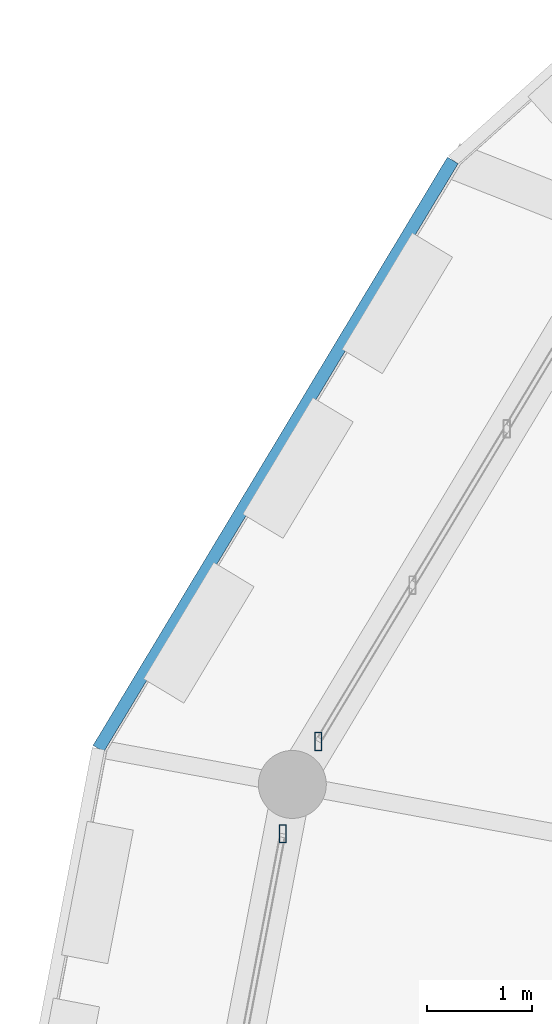
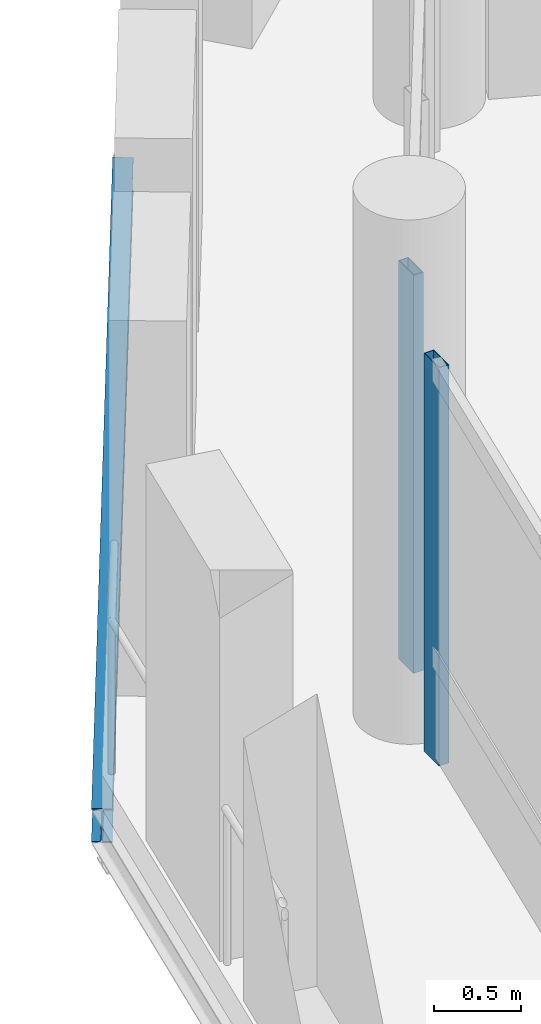
# One storey, part 40 of 84: 2 members, 1 beam, 2 elements without a shape of their own.
"""IFC4 building model written with IfcOpenShell, lengths in metres."""

from ifc_helpers import new_model, si_unit, direction, frame, origin, origin_2d, place, context, subcontext, project, spatial, hollow_rectangle, i_section, extrude, material, material_profile, profile_set, type_object, element, aggregate, save


model = new_model("IFC4")

# Units and contexts
model_context = context("Model", 3, precision=1e-05, world=origin(), true_north=direction((0.0, 1.0)))
body_context = subcontext(model_context, "Body", "Model", "MODEL_VIEW")
ifc_project = project(units=[si_unit("LENGTHUNIT", "METRE"), si_unit("AREAUNIT", "SQUARE_METRE"), si_unit("VOLUMEUNIT", "CUBIC_METRE"), si_unit("PLANEANGLEUNIT", "RADIAN"), si_unit("MASSUNIT", "GRAM", prefix="KILO")], contexts=[model_context])

# Site, building, storey
site_placement = place(None, origin())
site = spatial("IfcSite", under=ifc_project, at=site_placement, CompositionType="ELEMENT")
building_placement = place(site_placement, origin())
building = spatial("IfcBuilding", under=site, at=building_placement, Name="Zornivar Specialist Clinic", CompositionType="ELEMENT")
storey_placement = place(building_placement, frame((0.0, 0.0, 12.300048828125)))
storey = spatial("IfcBuildingStorey", under=building, at=storey_placement, Name="L03", CompositionType="ELEMENT", Elevation=12.300048828125)

# Beam
ifc_material_1 = material(Name="Steel S355J2", Category="steel")
ifc_material_profile_1 = material_profile(ifc_material_1, i_section(OverallWidth=0.1201171875, OverallDepth=0.239990234375, WebThickness=0.006103515625, FlangeThickness=0.009765625, FilletRadius=0.014892578125, at=origin_2d()), Name="IPE 240")
ifc_profile_set_1 = profile_set([ifc_material_profile_1], Name="Steel S355J2")
beam_type = type_object("IfcBeamType", Name="BM-STL-IPE240", PredefinedType="JOIST", material=ifc_profile_set_1)
beam_placement = place(storey_placement, frame((64.22412109375, 69.260009765625, -0.360107421875), z_axis=(-0.516036958114, -0.856566318425, 0.0), x_axis=(0.856566318425, -0.516036958114, 0.0)))
element("IfcBeam", 1, at=beam_placement, inside=storey, type_object=beam_type, Name="bm:V1:L03:balring:10", PredefinedType="JOIST", context=body_context, shape_type="SweptSolid", body=[
    extrude(i_section(OverallWidth=0.1201171875, OverallDepth=0.239990234375, WebThickness=0.006103515625, FlangeThickness=0.009765625, FilletRadius=0.014892578125, at=origin_2d()), origin(), (0.0, 0.0, 1.0), 6.565673828125),
])

# Curtain wall, member
ifc_material_2 = material(Name="Aluminium and Low-E Glass Curtain Wall", Category="aluminium")
curtain_wall_type = type_object("IfcCurtainWallType", Name="CW-DRUM-FACET", PredefinedType="NOTDEFINED", material=ifc_material_2)
curtain_wall_1_placement = place(storey_placement, origin())
curtain_wall_1 = element("IfcCurtainWall", 2, at=curtain_wall_1_placement, inside=storey, type_object=curtain_wall_type, Name="cw:V1:L03:c10", PredefinedType="NOTDEFINED")
ifc_material_3 = material(Name="Aluminium AW-6060", Category="aluminium")
ifc_material_profile_2 = material_profile(ifc_material_3, hollow_rectangle(XDim=0.06494140625, YDim=0.175048828125, WallThickness=0.00439453125, at=origin_2d()), Name="ALU 65x175x4.5")
ifc_profile_set_2 = profile_set([ifc_material_profile_2], Name="Aluminium AW-6060")
member_type = type_object("IfcMemberType", Name="CWM-MUL-175", PredefinedType="MULLION", material=ifc_profile_set_2)
member_1_placement = place(storey_placement, frame((62.93798828125, 63.705078125, 0.0), z_axis=(0.0, 0.0, 1.0), x_axis=(1.0, 0.0, 0.0)))
member_1 = element("IfcMember", 3, at=member_1_placement, type_object=member_type, Name="cw:V1:L03:c10:mul:3", PredefinedType="MULLION", context=body_context, shape_type="SweptSolid", body=[
    extrude(hollow_rectangle(XDim=0.06494140625, YDim=0.175048828125, WallThickness=0.00439453125, at=origin_2d()), origin(), (0.0, 0.0, 1.0), 2.81005859375),
])
aggregate(curtain_wall_1, [member_1])

curtain_wall_2_placement = place(storey_placement, origin())
curtain_wall_2 = element("IfcCurtainWall", 4, at=curtain_wall_2_placement, inside=storey, type_object=curtain_wall_type, Name="cw:V1:L03:c11", PredefinedType="NOTDEFINED")
member_2_placement = place(storey_placement, frame((62.59912109375, 62.822998046875, 0.0), z_axis=(0.0, 0.0, 1.0), x_axis=(1.0, 0.0, 0.0)))
member_2 = element("IfcMember", 5, at=member_2_placement, type_object=member_type, Name="cw:V1:L03:c11:mul:0", PredefinedType="MULLION", context=body_context, shape_type="SweptSolid", body=[
    extrude(hollow_rectangle(XDim=0.06494140625, YDim=0.175048828125, WallThickness=0.00439453125, at=origin_2d()), origin(), (0.0, 0.0, 1.0), 2.81005859375),
])
aggregate(curtain_wall_2, [member_2])

save(model, "model.ifc")
